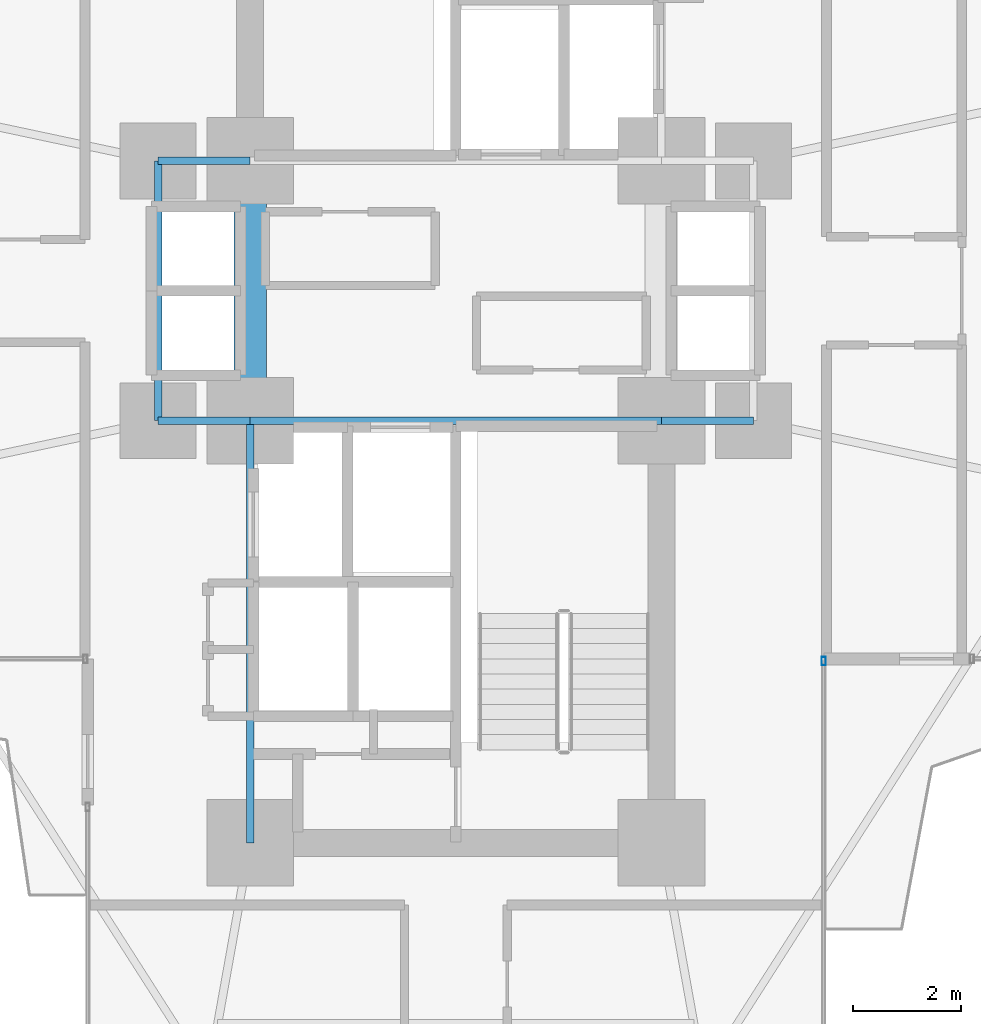
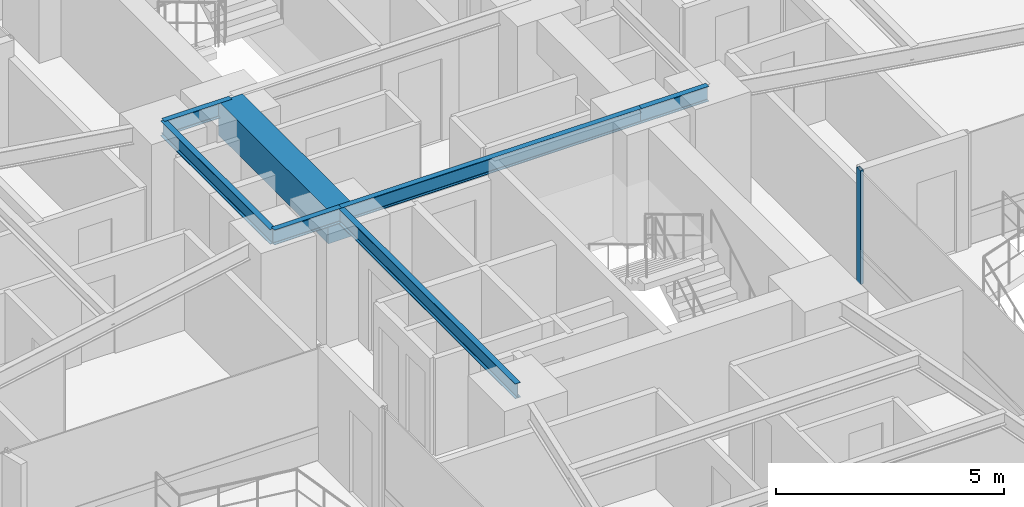
# One storey, part 11 of 26: 7 beams, 1 member, 1 element without a shape of its own.
"""IFC4 building model written with IfcOpenShell, lengths in metres."""

import ifcopenshell
import ifcopenshell.guid

model = None  # the IFC model being written
_history = None  # IfcOwnerHistory: only IFC2X3 demands one
_inside = {}  # id of a spatial element -> (the spatial element, [elements in it])
_under = {}  # id of a project, library or spatial element -> (it, [spatial elements below it])
_declared = {}  # id of a project -> (the project, [libraries it declares])
_typed = {}  # id of a type object -> (the type object, [elements of that type])
_made_of = {}  # id of a material, layer set ... -> (it, [elements and type objects made of it])


def new_model(schema):
    """Start an empty IFC model of exactly this schema.

    Asked for "IFC4X3", IfcOpenShell would pick the latest addendum, in which some entities
    have other attributes; the version numbers below select the first issue.
    IFC2X3 requires an IfcOwnerHistory on every rooted entity: one is made here for all.
    """
    global model, _history
    if schema == "IFC4X3":
        model = ifcopenshell.file(schema_version=(4, 3, 0, 0))
    else:
        model = ifcopenshell.file(schema=schema)
    _inside.clear()
    _under.clear()
    _declared.clear()
    _typed.clear()
    _made_of.clear()
    _history = None
    if model.schema == "IFC2X3":
        org = make("IfcOrganization", Name="unknown")
        user = make(
            "IfcPersonAndOrganization",
            ThePerson=make("IfcPerson", FamilyName="unknown"),
            TheOrganization=org,
        )
        app = make(
            "IfcApplication",
            ApplicationDeveloper=org,
            Version="unknown",
            ApplicationFullName="unknown",
            ApplicationIdentifier="unknown",
        )
        _history = make(
            "IfcOwnerHistory",
            OwningUser=user,
            OwningApplication=app,
            ChangeAction="ADDED",
            CreationDate=0,
        )
    return model


def make(cls, **values):
    """One entity of the class cls with the attributes given. An attribute that is None is left unset."""
    return model.create_entity(
        cls, **{name: value for name, value in values.items() if value is not None}
    )


def rooted(cls, **values):
    """An entity with a GlobalId (a new one), such as an element, a storey or a relation."""
    return make(cls, GlobalId=ifcopenshell.guid.new(), OwnerHistory=_history, **values)


def si_unit(unit_type, name, prefix=None):
    """IfcSIUnit, for example si_unit("LENGTHUNIT", "METRE", prefix="MILLI")."""
    return make("IfcSIUnit", UnitType=unit_type, Prefix=prefix, Name=name)


def assignment(units):
    """IfcUnitAssignment: the units of a project."""
    return None if units is None else make("IfcUnitAssignment", Units=units)


def point(xyz):
    """IfcCartesianPoint."""
    return None if xyz is None else make("IfcCartesianPoint", Coordinates=xyz)


def direction(xyz):
    """IfcDirection."""
    return None if xyz is None else make("IfcDirection", DirectionRatios=xyz)


def frame(location, z_axis=None, x_axis=None):
    """IfcAxis2Placement3D, a coordinate frame: its origin and axes. An axis left out is left unset."""
    return make(
        "IfcAxis2Placement3D",
        Location=point(location),
        Axis=direction(z_axis),
        RefDirection=direction(x_axis),
    )


def frame_2d(location, x_axis=None):
    """IfcAxis2Placement2D, a coordinate frame in the plane: its origin and x axis."""
    return make(
        "IfcAxis2Placement2D", Location=point(location), RefDirection=direction(x_axis)
    )


def origin():
    """The frame at (0, 0, 0) with its axes left unset."""
    return frame((0.0, 0.0, 0.0))


def origin_2d():
    """The frame at (0, 0) in the plane with its x axis left unset."""
    return frame_2d((0.0, 0.0))


def place(relative_to, where):
    """IfcLocalPlacement: puts the frame where relative to a parent placement (None: the world)."""
    return make(
        "IfcLocalPlacement", PlacementRelTo=relative_to, RelativePlacement=where
    )


def context(
    kind, dimensions, precision=None, world=None, true_north=None, identifier=None
):
    """IfcGeometricRepresentationContext, for example the 3D "Model" context."""
    return make(
        "IfcGeometricRepresentationContext",
        ContextIdentifier=identifier,
        ContextType=kind,
        CoordinateSpaceDimension=dimensions,
        Precision=precision,
        WorldCoordinateSystem=world,
        TrueNorth=true_north,
    )


def subcontext(parent, identifier, kind, view, scale=None):
    """IfcGeometricRepresentationSubContext, for example "Body" below "Model"."""
    return make(
        "IfcGeometricRepresentationSubContext",
        ContextIdentifier=identifier,
        ContextType=kind,
        ParentContext=parent,
        TargetScale=scale,
        TargetView=view,
    )


def project(units=None, contexts=None):
    """IfcProject with its units and contexts."""
    return rooted(
        "IfcProject",
        Name="project",
        RepresentationContexts=contexts,
        UnitsInContext=assignment(units),
    )


def spatial(cls, under=None, at=None, **own):
    """A site, building, storey or space (cls), placed at a placement, below another one or the project."""
    s = rooted(cls, ObjectPlacement=at, **own)
    if under is not None:
        _under.setdefault(under.id(), (under, []))[1].append(s)
    return s


def profile(cls, at=None, kind="AREA", **sizes):
    """A parametric profile (cls). Its sizes go by their IFC names, for example OverallWidth=200.0."""
    return make(cls, ProfileType=kind, Position=at, **sizes)


def rectangle(**sizes):
    """IfcRectangleProfileDef."""
    return profile("IfcRectangleProfileDef", **sizes)


def hollow_rectangle(**sizes):
    """IfcRectangleHollowProfileDef."""
    return profile("IfcRectangleHollowProfileDef", **sizes)


def i_section(**sizes):
    """IfcIShapeProfileDef."""
    return profile("IfcIShapeProfileDef", **sizes)


def extrude(swept, where, along, depth):
    """IfcExtrudedAreaSolid: the profile swept, set in the frame where, extruded along a direction by depth."""
    return make(
        "IfcExtrudedAreaSolid",
        SweptArea=swept,
        Position=where,
        ExtrudedDirection=direction(along),
        Depth=depth,
    )


def shape(context_of_items, identifier, shape_type, items):
    """IfcShapeRepresentation: the items that make up one representation, for example the "Body"."""
    return make(
        "IfcShapeRepresentation",
        ContextOfItems=context_of_items,
        RepresentationIdentifier=identifier,
        RepresentationType=shape_type,
        Items=items,
    )


def source(mapping_origin, context_of_items, identifier, shape_type, items):
    """IfcRepresentationMap: a shape defined once, which mapped items show again and again."""
    return make(
        "IfcRepresentationMap",
        MappingOrigin=mapping_origin,
        MappedRepresentation=shape(context_of_items, identifier, shape_type, items),
    )


def transform(
    local_origin,
    x_axis=None,
    y_axis=None,
    z_axis=None,
    scale=None,
    scale2=None,
    scale3=None,
    uniform=True,
):
    """IfcCartesianTransformationOperator3D, or its non-uniform kind. x_axis, y_axis, z_axis: its Axis1, 2, 3."""
    if uniform:
        return make(
            "IfcCartesianTransformationOperator3D",
            Axis1=direction(x_axis),
            Axis2=direction(y_axis),
            LocalOrigin=point(local_origin),
            Scale=scale,
            Axis3=direction(z_axis),
        )
    return make(
        "IfcCartesianTransformationOperator3DnonUniform",
        Axis1=direction(x_axis),
        Axis2=direction(y_axis),
        LocalOrigin=point(local_origin),
        Scale=scale,
        Axis3=direction(z_axis),
        Scale2=scale2,
        Scale3=scale3,
    )


def mapped(mapping_source, mapping_target):
    """IfcMappedItem: shows the shape of a source again, moved by a transform."""
    return make(
        "IfcMappedItem", MappingSource=mapping_source, MappingTarget=mapping_target
    )


def material(Name=None, Category=None):
    """IfcMaterial."""
    return make("IfcMaterial", Name=Name, Category=Category)


def material_profile(
    of_material, cross_section, Name=None, Category=None, Priority=None
):
    """IfcMaterialProfile: a cross section and its material."""
    return make(
        "IfcMaterialProfile",
        Name=Name,
        Material=of_material,
        Profile=cross_section,
        Priority=Priority,
        Category=Category,
    )


def profile_set(profiles, Name=None, composite=None):
    """IfcMaterialProfileSet."""
    return make(
        "IfcMaterialProfileSet",
        Name=Name,
        MaterialProfiles=profiles,
        CompositeProfile=composite,
    )


def made_of(thing, what):
    """Note that an element or type object is made of a material, layer set ...; save() writes the relation."""
    if what is not None:
        _made_of.setdefault(what.id(), (what, []))[1].append(thing)
    return thing


def type_object(cls, material=None, **own):
    """A type object (cls), such as IfcWallType, which elements share."""
    return made_of(rooted(cls, **own), material)


def element(
    cls,
    number,
    at=None,
    inside=None,
    cuts=None,
    type_object=None,
    material=None,
    context=None,
    identifier="Body",
    shape_type=None,
    held_by="IfcProductDefinitionShape",
    body=None,
    shapes=None,
    **own,
):
    """One element of the class cls, such as IfcWall. Its Tag is "e" and its number.

    at: its placement. inside: the storey or other place that contains it. cuts: it is an
    opening in that element (IfcRelVoidsElement). A single representation is given by context,
    identifier, shape_type and body (its items); several are given by shapes. held_by: the class
    of the entity that holds the representations. save() writes the other relations.
    """
    e = rooted(cls, Tag="e%d" % number, ObjectPlacement=at, **own)
    if body is not None:
        shapes = [shape(context, identifier, shape_type, body)]
    if shapes is not None:
        e.Representation = make(held_by, Representations=shapes)
    if inside is not None:
        _inside.setdefault(inside.id(), (inside, []))[1].append(e)
    if cuts is not None:
        rooted(
            "IfcRelVoidsElement", RelatingBuildingElement=cuts, RelatedOpeningElement=e
        )
    if type_object is not None:
        _typed.setdefault(type_object.id(), (type_object, []))[1].append(e)
    return made_of(e, material)


def aggregate(whole, parts):
    """IfcRelAggregates: a whole, such as a stair, and the parts it consists of."""
    return rooted("IfcRelAggregates", RelatingObject=whole, RelatedObjects=parts)


def save(model, path):
    """Write the relations noted so far, then the file.

    IfcRelAggregates (storeys below a building ...), IfcRelContainedInSpatialStructure (elements
    in a storey), IfcRelDefinesByType, IfcRelAssociatesMaterial and IfcRelDeclares: one each for
    every whole, place, type object, material and project.
    """
    for whole, parts in _under.values():
        aggregate(whole, parts)
    for where, things in _inside.values():
        rooted(
            "IfcRelContainedInSpatialStructure",
            RelatedElements=things,
            RelatingStructure=where,
        )
    for kind, things in _typed.values():
        rooted("IfcRelDefinesByType", RelatedObjects=things, RelatingType=kind)
    for what, things in _made_of.values():
        rooted("IfcRelAssociatesMaterial", RelatedObjects=things, RelatingMaterial=what)
    for by, libraries in _declared.values():
        rooted("IfcRelDeclares", RelatingContext=by, RelatedDefinitions=libraries)
    model.write(path)


model = new_model("IFC4")

# Units and contexts
model_context = context("Model", 3, precision=1e-05, world=origin(), true_north=direction((0.0, 1.0)))
body_context = subcontext(model_context, "Body", "Model", "MODEL_VIEW")
ifc_project = project(units=[si_unit("LENGTHUNIT", "METRE"), si_unit("AREAUNIT", "SQUARE_METRE"), si_unit("VOLUMEUNIT", "CUBIC_METRE"), si_unit("PLANEANGLEUNIT", "RADIAN"), si_unit("MASSUNIT", "GRAM", prefix="KILO")], contexts=[model_context])

# Site, building, storey
site_placement = place(None, origin())
site = spatial("IfcSite", under=ifc_project, at=site_placement, CompositionType="ELEMENT")
building_placement = place(site_placement, origin())
building = spatial("IfcBuilding", under=site, at=building_placement, Name="Sahyath Konkavel Grand Hotel", CompositionType="ELEMENT")
storey_placement = place(building_placement, frame((0.0, 0.0, 43.199951171875)))
storey = spatial("IfcBuildingStorey", under=building, at=storey_placement, Name="L11", CompositionType="ELEMENT", Elevation=43.199951171875)

# Beams
ifc_material_1 = material(Name="Concrete C70/85", Category="concrete")
ifc_material_profile_1 = material_profile(ifc_material_1, rectangle(XDim=0.60009765625, YDim=0.89990234375, at=origin_2d()), Name="RC 600x900")
ifc_profile_set_1 = profile_set([ifc_material_profile_1], Name="Concrete C70/85")
beam_type_1 = type_object("IfcBeamType", Name="BM-CB600x900", PredefinedType="LINTEL", material=ifc_profile_set_1)
shared_shape_1 = source(origin(), body_context, "Body", "SweptSolid", [
    extrude(rectangle(XDim=0.60009765625, YDim=0.89990234375, at=origin_2d()), origin(), (0.0, 0.0, 1.0), 4.7998046875),
])
beam_1_placement = place(storey_placement, frame((-3.800048828125, -2.39990234375, 2.60009765625), z_axis=(0.0, 1.0, 0.0), x_axis=(-1.0, 0.0, 0.0)))
element("IfcBeam", 1, at=beam_1_placement, inside=storey, type_object=beam_type_1, Name="L11 Split-Core Coupling Beam West", PredefinedType="LINTEL", context=body_context, shape_type="MappedRepresentation", body=[
    mapped(shared_shape_1, transform((0.0, 0.0, 0.0), scale=1.0)),
])
ifc_material_2 = material(Name="Steel E350", Category="steel")
ifc_material_profile_2 = material_profile(ifc_material_2, i_section(OverallWidth=0.139892578125, OverallDepth=0.39990234375, WebThickness=0.0087890625, FlangeThickness=0.01611328125, FilletRadius=0.013916015625, at=origin_2d()), Name="ISMB 400")
ifc_profile_set_2 = profile_set([ifc_material_profile_2], Name="Steel E350")
beam_type_2 = type_object("IfcBeamType", Name="BM-ISMB400", PredefinedType="BEAM", material=ifc_profile_set_2)
shared_shape_2 = source(origin(), body_context, "Body", "SweptSolid", [
    extrude(i_section(OverallWidth=0.139892578125, OverallDepth=0.39990234375, WebThickness=0.0087890625, FlangeThickness=0.01611328125, FilletRadius=0.013916015625, at=origin_2d()), origin(), (0.0, 0.0, 1.0), 7.60009765625),
])
beam_2_placement = place(storey_placement, frame((-3.800048828125, -2.39990234375, 2.85009765625), z_axis=(1.0, 0.0, 0.0), x_axis=(0.0, 1.0, 0.0)))
element("IfcBeam", 2, at=beam_2_placement, inside=storey, type_object=beam_type_2, Name="str:bm:L11:SC-N", PredefinedType="BEAM", context=body_context, shape_type="MappedRepresentation", body=[
    mapped(shared_shape_2, transform((0.0, 0.0, 0.0), scale=1.0)),
])
shared_shape_3 = source(origin(), body_context, "Body", "SweptSolid", [
    extrude(i_section(OverallWidth=0.139892578125, OverallDepth=0.39990234375, WebThickness=0.0087890625, FlangeThickness=0.01611328125, FilletRadius=0.013916015625, at=origin_2d()), origin(), (0.0, 0.0, 1.0), 7.800048828125),
])
beam_3_placement = place(storey_placement, frame((-3.800048828125, -10.199951171875, 2.85009765625), z_axis=(0.0, 1.0, 0.0), x_axis=(-1.0, 0.0, 0.0)))
element("IfcBeam", 3, at=beam_3_placement, inside=storey, type_object=beam_type_2, Name="str:bm:L11:SC-W", PredefinedType="BEAM", context=body_context, shape_type="MappedRepresentation", body=[
    mapped(shared_shape_3, transform((0.0, 0.0, 0.0), scale=1.0)),
])
shared_shape_4 = source(origin(), body_context, "Body", "SweptSolid", [
    extrude(i_section(OverallWidth=0.139892578125, OverallDepth=0.39990234375, WebThickness=0.0087890625, FlangeThickness=0.01611328125, FilletRadius=0.013916015625, at=origin_2d()), origin(), (0.0, 0.0, 1.0), 1.699951171875),
])
for number, where, z_axis, x_axis, name in (
    (4, (-5.5, 2.39990234375, 2.85009765625), (1.0, 0.0, 0.0), (0.0, 1.0, 0.0), "str:bm:L11:HB-NW"),
    (5, (-5.5, -2.39990234375, 2.85009765625), (1.0, 0.0, 0.0), (0.0, 1.0, 0.0), "str:bm:L11:HB-SW"),
    (6, (3.800048828125, -2.39990234375, 2.85009765625), (1.0, 0.0, 0.0), (0.0, 1.0, 0.0), "str:bm:L11:HB-SE"),
):
    element("IfcBeam", number, at=place(storey_placement, frame(where, z_axis=z_axis, x_axis=x_axis)), inside=storey, type_object=beam_type_2, Name=name, PredefinedType="BEAM", context=body_context, shape_type="MappedRepresentation", body=[
        mapped(shared_shape_4, transform((0.0, 0.0, 0.0), scale=1.0)),
    ])
shared_shape_5 = source(origin(), body_context, "Body", "SweptSolid", [
    extrude(i_section(OverallWidth=0.139892578125, OverallDepth=0.39990234375, WebThickness=0.0087890625, FlangeThickness=0.01611328125, FilletRadius=0.013916015625, at=origin_2d()), origin(), (0.0, 0.0, 1.0), 4.7998046875),
])
beam_4_placement = place(storey_placement, frame((-5.5, -2.39990234375, 2.85009765625), z_axis=(0.0, 1.0, 0.0), x_axis=(-1.0, 0.0, 0.0)))
element("IfcBeam", 7, at=beam_4_placement, inside=storey, type_object=beam_type_2, Name="str:bm:L11:HB-W", PredefinedType="BEAM", context=body_context, shape_type="MappedRepresentation", body=[
    mapped(shared_shape_5, transform((0.0, 0.0, 0.0), scale=1.0)),
])

# Curtain wall, member
ifc_material_3 = material(Name="Anodised Bronze Aluminium & Low-E Glazing", Category="aluminium")
curtain_wall_type = type_object("IfcCurtainWallType", Name="CW-ZONE1", PredefinedType="NOTDEFINED", material=ifc_material_3)
curtain_wall_placement = place(storey_placement, origin())
curtain_wall = element("IfcCurtainWall", 8, at=curtain_wall_placement, inside=storey, type_object=curtain_wall_type, Name="L11 Unitised Curtain Wall F31", PredefinedType="NOTDEFINED")
ifc_material_4 = material(Name="Anodised Bronze Aluminium", Category="aluminium")
ifc_material_profile_3 = material_profile(ifc_material_4, hollow_rectangle(XDim=0.080078125, YDim=0.159912109375, WallThickness=0.006103515625, at=origin_2d()), Name="RHS 160x80x6")
ifc_profile_set_3 = profile_set([ifc_material_profile_3], Name="Anodised Bronze Aluminium")
member_type = type_object("IfcMemberType", Name="CW-MUL-160", PredefinedType="MULLION", material=ifc_profile_set_3)
shared_shape_6 = source(origin(), body_context, "Body", "SweptSolid", [
    extrude(hollow_rectangle(XDim=0.080078125, YDim=0.159912109375, WallThickness=0.006103515625, at=origin_2d()), origin(), (0.0, 0.0, 1.0), 3.050048828125),
])
member_placement = place(storey_placement, frame((6.800048828125, -6.840087890625, 0.0), z_axis=(0.0, 0.0, 1.0), x_axis=(1.0, 0.0, 0.0)))
member = element("IfcMember", 9, at=member_placement, type_object=member_type, Name="L11 Curtain Wall Mullion F31-2", PredefinedType="MULLION", context=body_context, shape_type="MappedRepresentation", body=[
    mapped(shared_shape_6, transform((0.0, 0.0, 0.0), scale=1.0)),
])
aggregate(curtain_wall, [member])

save(model, "model.ifc")
